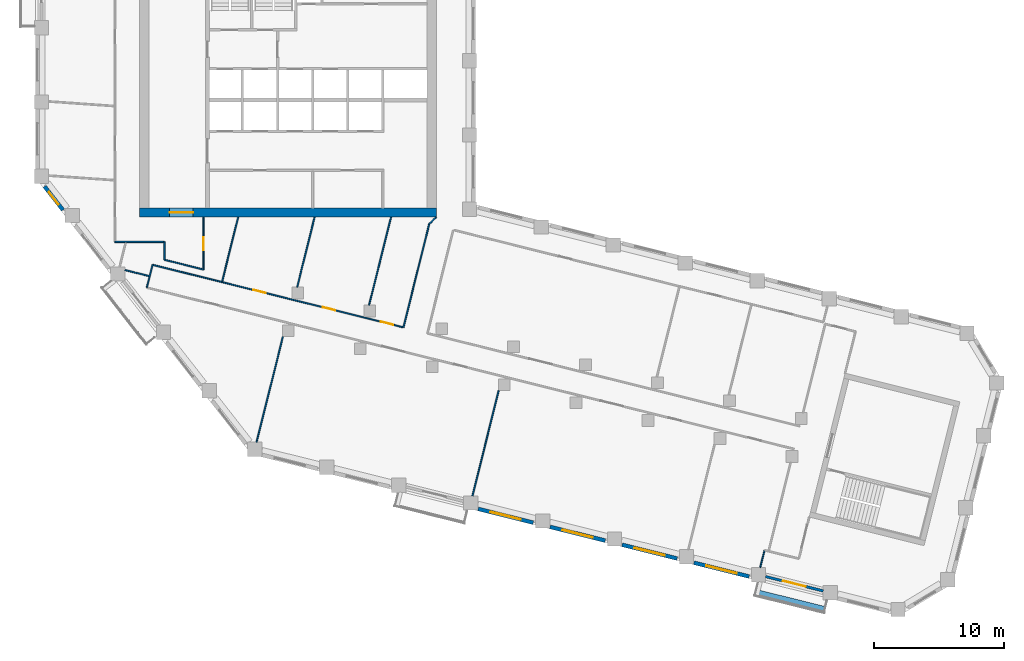
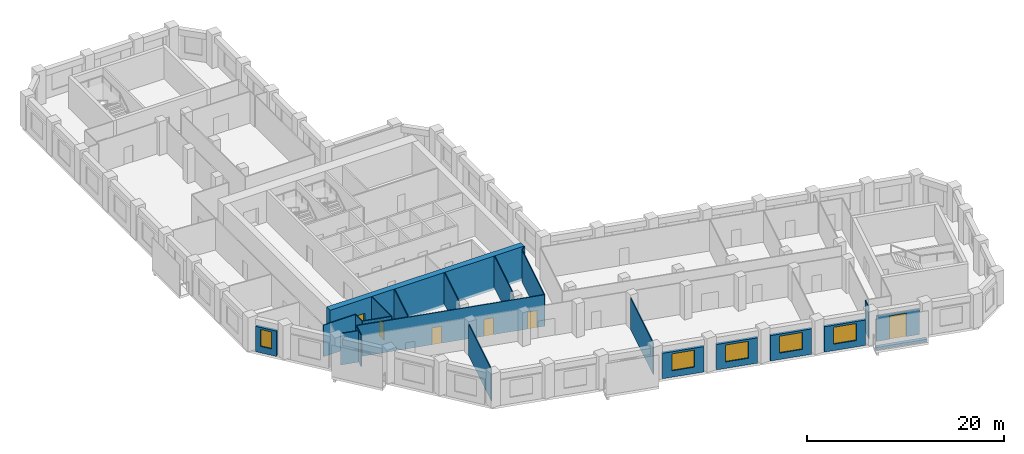
# One storey, part 3 of 10: 23 walls, 6 doors, 5 windows, 11 openings.
"""IFC4 building model written with IfcOpenShell, lengths in metres."""

from ifc_helpers import new_model, si_unit, direction, frame, frame_2d, origin, place, context, subcontext, project, spatial, rectangle, extrude, material, layer, layer_set, type_object, element, fill, save


model = new_model("IFC4")

# Units and contexts
model_context = context("Model", 3, precision=1e-05, world=origin(), true_north=direction((0.0, 1.0)))
body_context = subcontext(model_context, "Body", "Model", "MODEL_VIEW")
ifc_project = project(units=[si_unit("LENGTHUNIT", "METRE"), si_unit("AREAUNIT", "SQUARE_METRE"), si_unit("VOLUMEUNIT", "CUBIC_METRE"), si_unit("PLANEANGLEUNIT", "RADIAN"), si_unit("MASSUNIT", "GRAM", prefix="KILO")], contexts=[model_context])

# Site, building, storey
site_placement = place(None, origin())
site = spatial("IfcSite", under=ifc_project, at=site_placement, CompositionType="ELEMENT")
building_placement = place(site_placement, origin())
building = spatial("IfcBuilding", under=site, at=building_placement, Name="Meshkara Civic Tower", CompositionType="ELEMENT")
storey_placement = place(building_placement, frame((0.0, 0.0, 263.39990234375)))
storey = spatial("IfcBuildingStorey", under=building, at=storey_placement, Name="L60", CompositionType="ELEMENT", Elevation=263.39990234375)

# Wall, opening, door
ifc_material_1 = material(Name="Concrete C60", Category="concrete")
ifc_layer_1 = layer(ifc_material_1, 0.699951171875)
ifc_layer_set_1 = layer_set([ifc_layer_1], Name="Core ring wall 700 C60")
wall_type_1 = type_object("IfcWallType", Name="Core ring wall 700 C60", PredefinedType="SHEAR", material=ifc_layer_set_1)
wall_1_placement = place(storey_placement, frame((8.0, 14.449951171875, -0.2998046875), z_axis=(0.0, 0.0, 1.0), x_axis=(1.0, 0.0, 0.0)))
wall_1 = element("IfcWall", 1, at=wall_1_placement, inside=storey, type_object=wall_type_1, Name="L60-C001", PredefinedType="SHEAR", context=body_context, shape_type="SweptSolid", body=[
    extrude(rectangle(XDim=22.800048828125, YDim=0.699951171875, at=frame_2d((11.39990234375, 0.0))), origin(), (0.0, 0.0, 1.0), 4.199951171875),
])
opening_1_placement = place(wall_1_placement, frame((2.300048828125, 0.0, 0.300048828125)))
opening_1 = element("IfcOpeningElement", 2, at=opening_1_placement, cuts=wall_1, Name="Opening L60-K020", PredefinedType="OPENING", context=body_context, shape_type="SweptSolid", body=[
    extrude(rectangle(XDim=1.800048828125, YDim=2.10009765625, at=frame_2d((0.89990234375, 1.050048828125))), frame((0.0, 0.35986328125, 0.0), z_axis=(0.0, -1.0, 0.0), x_axis=(1.0, 0.0, 0.0)), (0.0, 0.0, 1.0), 0.719970703125),
])
ifc_material_2 = material(Name="Fire-rated door leaf in steel frame", Category="steel")
door_type_1 = type_object("IfcDoorType", Name="Core double door 1800 EI 60", OperationType="DOUBLE_DOOR_SINGLE_SWING", PredefinedType="DOOR", material=ifc_material_2)
door_1_placement = place(opening_1_placement, origin())
door_1 = element("IfcDoor", 3, at=door_1_placement, inside=storey, type_object=door_type_1, Name="L60-K020", OperationType="DOUBLE_DOOR_SINGLE_SWING", OverallHeight=2.10009765625, OverallWidth=1.800048828125, PredefinedType="DOOR", context=body_context, shape_type="SweptSolid", body=[
    extrude(rectangle(XDim=1.800048828125, YDim=2.10009765625, at=frame_2d((0.89990234375, 1.050048828125))), frame((0.0, 0.02490234375, 0.0), z_axis=(0.0, -1.0, 0.0), x_axis=(1.0, 0.0, 0.0)), (0.0, 0.0, 1.0), 0.050048828125),
])
fill(opening_1, door_1)

# Wall
ifc_material_3 = material(Name="Corridor wall 100")
ifc_layer_2 = layer(ifc_material_3, 0.10009765625)
ifc_layer_set_2 = layer_set([ifc_layer_2], Name="Corridor wall 100")
wall_type_2 = type_object("IfcWallType", Name="Corridor wall 100", PredefinedType="PARTITIONING", material=ifc_layer_set_2)
wall_2_placement = place(storey_placement, frame((6.10009765625, 12.199951171875, 0.0), z_axis=(0.0, 0.0, 1.0), x_axis=(1.0, 0.0, 0.0)))
element("IfcWall", 4, at=wall_2_placement, inside=storey, type_object=wall_type_2, Name="L60-W004", PredefinedType="PARTITIONING", context=body_context, shape_type="SweptSolid", body=[
    extrude(rectangle(XDim=3.7998046875, YDim=0.10009765625, at=frame_2d((1.89990234375, 0.0))), origin(), (0.0, 0.0, 1.0), 3.900146484375),
])

# Wall, openings, doors
wall_3_placement = place(storey_placement, frame((8.988037109375, 10.43994140625, 0.0), z_axis=(0.0, 0.0, 1.0), x_axis=(0.970301223092, -0.241899848006, 0.0)))
wall_3 = element("IfcWall", 5, at=wall_3_placement, inside=storey, type_object=wall_type_2, Name="L60-W007", PredefinedType="PARTITIONING", context=body_context, shape_type="SweptSolid", body=[
    extrude(rectangle(XDim=19.87939453125, YDim=0.10009765625, at=frame_2d((9.939697265625, 0.0))), origin(), (0.0, 0.0, 1.0), 3.900146484375),
])
opening_2_placement = place(wall_3_placement, frame((18.0830078125, 0.0, 0.0)))
opening_2 = element("IfcOpeningElement", 6, at=opening_2_placement, cuts=wall_3, Name="Opening L60-D005", PredefinedType="OPENING", context=body_context, shape_type="SweptSolid", body=[
    extrude(rectangle(XDim=1.0, YDim=2.10009765625, at=frame_2d((0.5, 1.050048828125))), frame((0.0, 0.06005859375, 0.0), z_axis=(0.0, -1.0, 0.0), x_axis=(1.0, 0.0, 0.0)), (0.0, 0.0, 1.0), 0.1201171875),
])
opening_3_placement = place(wall_3_placement, frame((7.98291015625, 0.0, 0.0)))
opening_3 = element("IfcOpeningElement", 7, at=opening_3_placement, cuts=wall_3, Name="Opening L60-D011", PredefinedType="OPENING", context=body_context, shape_type="SweptSolid", body=[
    extrude(rectangle(XDim=1.0, YDim=2.10009765625, at=frame_2d((0.5, 1.050048828125))), frame((0.0, 0.06005859375, 0.0), z_axis=(0.0, -1.0, 0.0), x_axis=(1.0, 0.0, 0.0)), (0.0, 0.0, 1.0), 0.1201171875),
])
opening_4_placement = place(wall_3_placement, frame((13.48291015625, 0.0, 0.0)))
opening_4 = element("IfcOpeningElement", 8, at=opening_4_placement, cuts=wall_3, Name="Opening L60-D012", PredefinedType="OPENING", context=body_context, shape_type="SweptSolid", body=[
    extrude(rectangle(XDim=1.0, YDim=2.10009765625, at=frame_2d((0.5, 1.050048828125))), frame((0.0, 0.06005859375, 0.0), z_axis=(0.0, -1.0, 0.0), x_axis=(1.0, 0.0, 0.0)), (0.0, 0.0, 1.0), 0.1201171875),
])
ifc_material_4 = material(Name="Door 1000 x 2100")
door_type_2 = type_object("IfcDoorType", Name="Door 1000 x 2100", OperationType="SINGLE_SWING_LEFT", PredefinedType="DOOR", material=ifc_material_4)
door_2_placement = place(opening_2_placement, origin())
door_2 = element("IfcDoor", 9, at=door_2_placement, inside=storey, type_object=door_type_2, Name="L60-D005", OperationType="SINGLE_SWING_RIGHT", OverallHeight=2.10009765625, OverallWidth=1.0, PredefinedType="DOOR", context=body_context, shape_type="SweptSolid", body=[
    extrude(rectangle(XDim=1.0, YDim=2.10009765625, at=frame_2d((0.5, 1.050048828125))), frame((0.0, 0.02490234375, 0.0), z_axis=(0.0, -1.0, 0.0), x_axis=(1.0, 0.0, 0.0)), (0.0, 0.0, 1.0), 0.050048828125),
])
fill(opening_2, door_2)
door_3_placement = place(opening_3_placement, origin())
door_3 = element("IfcDoor", 10, at=door_3_placement, inside=storey, type_object=door_type_2, Name="L60-D011", OperationType="SINGLE_SWING_RIGHT", OverallHeight=2.10009765625, OverallWidth=1.0, PredefinedType="DOOR", context=body_context, shape_type="SweptSolid", body=[
    extrude(rectangle(XDim=1.0, YDim=2.10009765625, at=frame_2d((0.5, 1.050048828125))), frame((0.0, 0.02490234375, 0.0), z_axis=(0.0, -1.0, 0.0), x_axis=(1.0, 0.0, 0.0)), (0.0, 0.0, 1.0), 0.050048828125),
])
fill(opening_3, door_3)
door_4_placement = place(opening_4_placement, origin())
door_4 = element("IfcDoor", 11, at=door_4_placement, inside=storey, type_object=door_type_2, Name="L60-D012", OperationType="SINGLE_SWING_LEFT", OverallHeight=2.10009765625, OverallWidth=1.0, PredefinedType="DOOR", context=body_context, shape_type="SweptSolid", body=[
    extrude(rectangle(XDim=1.0, YDim=2.10009765625, at=frame_2d((0.5, 1.050048828125))), frame((0.0, 0.02490234375, 0.0), z_axis=(0.0, -1.0, 0.0), x_axis=(1.0, 0.0, 0.0)), (0.0, 0.0, 1.0), 0.050048828125),
])
fill(opening_4, door_4)

# Walls
wall_4_placement = place(storey_placement, frame((8.988037109375, 10.43994140625, 0.0), z_axis=(0.0, 0.0, 1.0), x_axis=(-0.242154485745, -0.970237705428, 0.0)))
element("IfcWall", 12, at=wall_4_placement, inside=storey, type_object=wall_type_2, Name="L60-W008", PredefinedType="PARTITIONING", context=body_context, shape_type="SweptSolid", body=[
    extrude(rectangle(XDim=1.80859375, YDim=0.10009765625, at=frame_2d((0.904296875, 0.0))), origin(), (0.0, 0.0, 1.0), 3.900146484375),
])
wall_5_placement = place(storey_placement, frame((9.89990234375, 10.825927734375, 0.0), z_axis=(0.0, 0.0, 1.0), x_axis=(0.970290953223, -0.241941038466, 0.0)))
element("IfcWall", 13, at=wall_5_placement, inside=storey, type_object=wall_type_2, Name="L60-W009", PredefinedType="PARTITIONING", context=body_context, shape_type="SweptSolid", body=[
    extrude(rectangle(XDim=3.091796875, YDim=0.10009765625, at=frame_2d((1.5458984375, 0.0))), origin(), (0.0, 0.0, 1.0), 3.900146484375),
])
wall_6_placement = place(storey_placement, frame((9.89990234375, 12.199951171875, 0.0), z_axis=(0.0, 0.0, 1.0), x_axis=(0.0, -1.0, 0.0)))
element("IfcWall", 14, at=wall_6_placement, inside=storey, type_object=wall_type_2, Name="L60-W010", PredefinedType="PARTITIONING", context=body_context, shape_type="SweptSolid", body=[
    extrude(rectangle(XDim=1.3740234375, YDim=0.10009765625, at=frame_2d((0.68701171875, 0.0))), origin(), (0.0, 0.0, 1.0), 3.900146484375),
])

# Wall, opening, door
wall_7_placement = place(storey_placement, frame((12.89990234375, 10.077880859375, 0.0), z_axis=(0.0, 0.0, 1.0), x_axis=(0.0, 1.0, 0.0)))
wall_7 = element("IfcWall", 15, at=wall_7_placement, inside=storey, type_object=wall_type_2, Name="L60-W014", PredefinedType="PARTITIONING", context=body_context, shape_type="SweptSolid", body=[
    extrude(rectangle(XDim=4.022216796875, YDim=0.10009765625, at=frame_2d((2.01123046875, 0.0))), origin(), (0.0, 0.0, 1.0), 3.900146484375),
])
opening_5_placement = place(wall_7_placement, frame((1.47998046875, 0.0, 0.0)))
opening_5 = element("IfcOpeningElement", 16, at=opening_5_placement, cuts=wall_7, Name="Opening L60-D017", PredefinedType="OPENING", context=body_context, shape_type="SweptSolid", body=[
    extrude(rectangle(XDim=1.0, YDim=2.10009765625, at=frame_2d((0.5, 1.050048828125))), frame((0.0, 0.06005859375, 0.0), z_axis=(0.0, -1.0, 0.0), x_axis=(1.0, 0.0, 0.0)), (0.0, 0.0, 1.0), 0.1201171875),
])
door_5_placement = place(opening_5_placement, origin())
door_5 = element("IfcDoor", 17, at=door_5_placement, inside=storey, type_object=door_type_2, Name="L60-D017", OperationType="SINGLE_SWING_RIGHT", OverallHeight=2.10009765625, OverallWidth=1.0, PredefinedType="DOOR", context=body_context, shape_type="SweptSolid", body=[
    extrude(rectangle(XDim=1.0, YDim=2.10009765625, at=frame_2d((0.5, 1.050048828125))), frame((0.0, 0.02490234375, 0.0), z_axis=(0.0, -1.0, 0.0), x_axis=(1.0, 0.0, 0.0)), (0.0, 0.0, 1.0), 0.050048828125),
])
fill(opening_5, door_5)

# Walls
wall_8_placement = place(storey_placement, frame((30.259033203125, 13.5830078125, 0.0), z_axis=(0.0, 0.0, 1.0), x_axis=(-0.241841612879, -0.970315739479, 0.0)))
element("IfcWall", 18, at=wall_8_placement, inside=storey, type_object=wall_type_2, Name="L60-W023", PredefinedType="PARTITIONING", context=body_context, shape_type="SweptSolid", body=[
    extrude(rectangle(XDim=8.195068359375, YDim=0.10009765625, at=frame_2d((4.09765625, 0.0))), origin(), (0.0, 0.0, 1.0), 3.900146484375),
])
wall_9_placement = place(storey_placement, frame((30.800048828125, 14.10009765625, 0.0), z_axis=(0.0, 0.0, 1.0), x_axis=(-0.722911025189, -0.690941133281, 0.0)))
element("IfcWall", 19, at=wall_9_placement, inside=storey, type_object=wall_type_2, Name="L60-W024", PredefinedType="PARTITIONING", context=body_context, shape_type="SweptSolid", body=[
    extrude(rectangle(XDim=0.748291015625, YDim=0.10009765625, at=frame_2d((0.3740234375, 0.0))), origin(), (0.0, 0.0, 1.0), 3.900146484375),
])

# Wall, opening, window
ifc_material_5 = material(Name="Insulated infill panel with bronze anodised aluminium cladding", Category="aluminium")
ifc_layer_3 = layer(ifc_material_5, 0.300048828125)
ifc_layer_set_3 = layer_set([ifc_layer_3], Name="EXTERNAL INFILL WALL 300")
wall_type_3 = type_object("IfcWallType", Name="EXTERNAL INFILL WALL 300", PredefinedType="SOLIDWALL", material=ifc_layer_set_3)
wall_10_placement = place(storey_placement, frame((0.68896484375, 16.4619140625, 0.0), z_axis=(0.0, 0.0, 1.0), x_axis=(0.615625465473, -0.788038886262, 0.0)))
wall_10 = element("IfcWall", 20, at=wall_10_placement, inside=storey, type_object=wall_type_3, Name="External wall", PredefinedType="SOLIDWALL", context=body_context, shape_type="SweptSolid", body=[
    extrude(rectangle(XDim=2.29541015625, YDim=0.300048828125, at=frame_2d((1.147705078125, 0.0))), origin(), (0.0, 0.0, 1.0), 3.150146484375),
])
opening_6_placement = place(wall_10_placement, frame((0.548095703125, 0.0, 0.800048828125)))
opening_6 = element("IfcOpeningElement", 21, at=opening_6_placement, cuts=wall_10, Name="Opening W3", PredefinedType="OPENING", context=body_context, shape_type="SweptSolid", body=[
    extrude(rectangle(XDim=1.199951171875, YDim=2.10009765625, at=frame_2d((0.60009765625, 1.050048828125))), frame((0.0, 0.159912109375, 0.0), z_axis=(0.0, -1.0, 0.0), x_axis=(1.0, 0.0, 0.0)), (0.0, 0.0, 1.0), 0.320068359375),
])
ifc_material_6 = material(Name="Tinted double glazing", Category="glass")
window_type_1 = type_object("IfcWindowType", Name="WINDOW 1200x2100", PartitioningType="SINGLE_PANEL", PredefinedType="WINDOW", material=ifc_material_6)
window_1_placement = place(opening_6_placement, origin())
window_1 = element("IfcWindow", 22, at=window_1_placement, inside=storey, type_object=window_type_1, Name="Window", OverallHeight=2.10009765625, OverallWidth=1.199951171875, PartitioningType="SINGLE_PANEL", PredefinedType="WINDOW", context=body_context, shape_type="SweptSolid", body=[
    extrude(rectangle(XDim=1.199951171875, YDim=2.10009765625, at=frame_2d((0.60009765625, 1.050048828125))), frame((0.0, 0.030029296875, 0.0), z_axis=(0.0, -1.0, 0.0), x_axis=(1.0, 0.0, 0.0)), (0.0, 0.0, 1.0), 0.06005859375),
])
fill(opening_6, window_1)

wall_11_placement = place(storey_placement, frame((34.01708984375, -8.326904296875, 0.0), z_axis=(0.0, 0.0, 1.0), x_axis=(0.970306725873, -0.241877774353, 0.0)))
wall_11 = element("IfcWall", 23, at=wall_11_placement, inside=storey, type_object=wall_type_3, Name="External wall", PredefinedType="SOLIDWALL", context=body_context, shape_type="SweptSolid", body=[
    extrude(rectangle(XDim=4.366455078125, YDim=0.300048828125, at=frame_2d((2.18310546875, 0.0))), origin(), (0.0, 0.0, 1.0), 3.150146484375),
])
opening_7_placement = place(wall_11_placement, frame((0.98291015625, 0.0, 0.800048828125)))
opening_7 = element("IfcOpeningElement", 24, at=opening_7_placement, cuts=wall_11, Name="Opening W7", PredefinedType="OPENING", context=body_context, shape_type="SweptSolid", body=[
    extrude(rectangle(XDim=2.39990234375, YDim=2.10009765625, at=frame_2d((1.199951171875, 1.050048828125))), frame((0.0, 0.159912109375, 0.0), z_axis=(0.0, -1.0, 0.0), x_axis=(1.0, 0.0, 0.0)), (0.0, 0.0, 1.0), 0.320068359375),
])
ifc_material_7 = material(Name="Tinted double glazing", Category="glass")
window_type_2 = type_object("IfcWindowType", Name="WINDOW 2400x2100", PartitioningType="DOUBLE_PANEL_VERTICAL", PredefinedType="WINDOW", material=ifc_material_7)
window_2_placement = place(opening_7_placement, origin())
window_2 = element("IfcWindow", 25, at=window_2_placement, inside=storey, type_object=window_type_2, Name="Window", OverallHeight=2.10009765625, OverallWidth=2.39990234375, PartitioningType="DOUBLE_PANEL_VERTICAL", PredefinedType="WINDOW", context=body_context, shape_type="SweptSolid", body=[
    extrude(rectangle(XDim=2.39990234375, YDim=2.10009765625, at=frame_2d((1.199951171875, 1.050048828125))), frame((0.0, 0.030029296875, 0.0), z_axis=(0.0, -1.0, 0.0), x_axis=(1.0, 0.0, 0.0)), (0.0, 0.0, 1.0), 0.06005859375),
])
fill(opening_7, window_2)

wall_12_placement = place(storey_placement, frame((39.548095703125, -9.7060546875, 0.0), z_axis=(0.0, 0.0, 1.0), x_axis=(0.970319847058, -0.241825131873, 0.0)))
wall_12 = element("IfcWall", 26, at=wall_12_placement, inside=storey, type_object=wall_type_3, Name="External wall", PredefinedType="SOLIDWALL", context=body_context, shape_type="SweptSolid", body=[
    extrude(rectangle(XDim=4.366455078125, YDim=0.300048828125, at=frame_2d((2.18310546875, 0.0))), origin(), (0.0, 0.0, 1.0), 3.150146484375),
])
opening_8_placement = place(wall_12_placement, frame((0.98291015625, 0.0, 0.800048828125)))
opening_8 = element("IfcOpeningElement", 27, at=opening_8_placement, cuts=wall_12, Name="Opening W7", PredefinedType="OPENING", context=body_context, shape_type="SweptSolid", body=[
    extrude(rectangle(XDim=2.39990234375, YDim=2.10009765625, at=frame_2d((1.199951171875, 1.050048828125))), frame((0.0, 0.159912109375, 0.0), z_axis=(0.0, -1.0, 0.0), x_axis=(1.0, 0.0, 0.0)), (0.0, 0.0, 1.0), 0.320068359375),
])
window_3_placement = place(opening_8_placement, origin())
window_3 = element("IfcWindow", 28, at=window_3_placement, inside=storey, type_object=window_type_2, Name="Window", OverallHeight=2.10009765625, OverallWidth=2.39990234375, PartitioningType="DOUBLE_PANEL_VERTICAL", PredefinedType="WINDOW", context=body_context, shape_type="SweptSolid", body=[
    extrude(rectangle(XDim=2.39990234375, YDim=2.10009765625, at=frame_2d((1.199951171875, 1.050048828125))), frame((0.0, 0.030029296875, 0.0), z_axis=(0.0, -1.0, 0.0), x_axis=(1.0, 0.0, 0.0)), (0.0, 0.0, 1.0), 0.06005859375),
])
fill(opening_8, window_3)

wall_13_placement = place(storey_placement, frame((45.0791015625, -11.0849609375, 0.0), z_axis=(0.0, 0.0, 1.0), x_axis=(0.970293636985, -0.241930275135, 0.0)))
wall_13 = element("IfcWall", 29, at=wall_13_placement, inside=storey, type_object=wall_type_3, Name="External wall", PredefinedType="SOLIDWALL", context=body_context, shape_type="SweptSolid", body=[
    extrude(rectangle(XDim=4.365478515625, YDim=0.300048828125, at=frame_2d((2.1826171875, 0.0))), origin(), (0.0, 0.0, 1.0), 3.150146484375),
])
opening_9_placement = place(wall_13_placement, frame((0.98291015625, 0.0, 0.800048828125)))
opening_9 = element("IfcOpeningElement", 30, at=opening_9_placement, cuts=wall_13, Name="Opening W7", PredefinedType="OPENING", context=body_context, shape_type="SweptSolid", body=[
    extrude(rectangle(XDim=2.39990234375, YDim=2.10009765625, at=frame_2d((1.199951171875, 1.050048828125))), frame((0.0, 0.159912109375, 0.0), z_axis=(0.0, -1.0, 0.0), x_axis=(1.0, 0.0, 0.0)), (0.0, 0.0, 1.0), 0.320068359375),
])
window_4_placement = place(opening_9_placement, origin())
window_4 = element("IfcWindow", 31, at=window_4_placement, inside=storey, type_object=window_type_2, Name="Window", OverallHeight=2.10009765625, OverallWidth=2.39990234375, PartitioningType="DOUBLE_PANEL_VERTICAL", PredefinedType="WINDOW", context=body_context, shape_type="SweptSolid", body=[
    extrude(rectangle(XDim=2.39990234375, YDim=2.10009765625, at=frame_2d((1.199951171875, 1.050048828125))), frame((0.0, 0.030029296875, 0.0), z_axis=(0.0, -1.0, 0.0), x_axis=(1.0, 0.0, 0.0)), (0.0, 0.0, 1.0), 0.06005859375),
])
fill(opening_9, window_4)

wall_14_placement = place(storey_placement, frame((50.60888671875, -12.462890625, 0.0), z_axis=(0.0, 0.0, 1.0), x_axis=(0.970257492536, -0.242075191166, 0.0)))
wall_14 = element("IfcWall", 32, at=wall_14_placement, inside=storey, type_object=wall_type_3, Name="External wall", PredefinedType="SOLIDWALL", context=body_context, shape_type="SweptSolid", body=[
    extrude(rectangle(XDim=4.366943359375, YDim=0.300048828125, at=frame_2d((2.18359375, 0.0))), origin(), (0.0, 0.0, 1.0), 3.150146484375),
])
opening_10_placement = place(wall_14_placement, frame((0.98291015625, 0.0, 0.800048828125)))
opening_10 = element("IfcOpeningElement", 33, at=opening_10_placement, cuts=wall_14, Name="Opening W7", PredefinedType="OPENING", context=body_context, shape_type="SweptSolid", body=[
    extrude(rectangle(XDim=2.39990234375, YDim=2.10009765625, at=frame_2d((1.199951171875, 1.050048828125))), frame((0.0, 0.159912109375, 0.0), z_axis=(0.0, -1.0, 0.0), x_axis=(1.0, 0.0, 0.0)), (0.0, 0.0, 1.0), 0.320068359375),
])
window_5_placement = place(opening_10_placement, origin())
window_5 = element("IfcWindow", 34, at=window_5_placement, inside=storey, type_object=window_type_2, Name="Window", OverallHeight=2.10009765625, OverallWidth=2.39990234375, PartitioningType="DOUBLE_PANEL_VERTICAL", PredefinedType="WINDOW", context=body_context, shape_type="SweptSolid", body=[
    extrude(rectangle(XDim=2.39990234375, YDim=2.10009765625, at=frame_2d((1.199951171875, 1.050048828125))), frame((0.0, 0.030029296875, 0.0), z_axis=(0.0, -1.0, 0.0), x_axis=(1.0, 0.0, 0.0)), (0.0, 0.0, 1.0), 0.06005859375),
])
fill(opening_10, window_5)

# Wall, opening, door
ifc_material_8 = material(Name="Insulated infill panel with bronze anodised aluminium cladding", Category="aluminium")
ifc_layer_4 = layer(ifc_material_8, 0.199951171875)
ifc_layer_set_4 = layer_set([ifc_layer_4], Name="LOGGIA BACK WALL 200")
wall_type_4 = type_object("IfcWallType", Name="LOGGIA BACK WALL 200", PredefinedType="SOLIDWALL", material=ifc_layer_set_4)
wall_15_placement = place(storey_placement, frame((56.115966796875, -13.527099609375, 0.0), z_axis=(0.0, 0.0, 1.0), x_axis=(0.970286982272, -0.241956963183, 0.0)))
wall_15 = element("IfcWall", 35, at=wall_15_placement, inside=storey, type_object=wall_type_4, Name="Loggia wall", PredefinedType="SOLIDWALL", context=body_context, shape_type="SweptSolid", body=[
    extrude(rectangle(XDim=4.56689453125, YDim=0.199951171875, at=frame_2d((2.283447265625, 0.0))), origin(), (0.0, 0.0, 1.0), 3.150146484375),
])
opening_11_placement = place(wall_15_placement, frame((1.383056640625, 0.0, 0.0)))
opening_11 = element("IfcOpeningElement", 36, at=opening_11_placement, cuts=wall_15, Name="Opening L60-L004", PredefinedType="OPENING", context=body_context, shape_type="SweptSolid", body=[
    extrude(rectangle(XDim=1.800048828125, YDim=2.89990234375, at=frame_2d((0.89990234375, 1.449951171875))), frame((0.0, 0.10986328125, 0.0), z_axis=(0.0, -1.0, 0.0), x_axis=(1.0, 0.0, 0.0)), (0.0, 0.0, 1.0), 0.219970703125),
])
ifc_material_9 = material(Name="Tinted double glazing", Category="glass")
door_type_3 = type_object("IfcDoorType", Name="LOGGIA DOOR 1800x2900", OperationType="DOUBLE_DOOR_SINGLE_SWING", PredefinedType="DOOR", material=ifc_material_9)
door_6_placement = place(opening_11_placement, origin())
door_6 = element("IfcDoor", 37, at=door_6_placement, inside=storey, type_object=door_type_3, Name="L60-L004", OperationType="DOUBLE_DOOR_SINGLE_SWING", OverallHeight=2.89990234375, OverallWidth=1.800048828125, PredefinedType="DOOR", context=body_context, shape_type="SweptSolid", body=[
    extrude(rectangle(XDim=1.800048828125, YDim=2.89990234375, at=frame_2d((0.89990234375, 1.449951171875))), frame((0.0, 0.02490234375, 0.0), z_axis=(0.0, -1.0, 0.0), x_axis=(1.0, 0.0, 0.0)), (0.0, 0.0, 1.0), 0.050048828125),
])
fill(opening_11, door_6)

# Walls
ifc_material_10 = material(Name="Concrete C40", Category="concrete")
ifc_layer_5 = layer(ifc_material_10, 0.39990234375)
ifc_layer_set_5 = layer_set([ifc_layer_5], Name="PLANTER TRAY")
wall_type_5 = type_object("IfcWallType", Name="PLANTER TRAY", PredefinedType="SOLIDWALL", material=ifc_layer_set_5)
wall_16_placement = place(storey_placement, frame((55.408935546875, -14.721923828125, 0.0), z_axis=(0.0, 0.0, 1.0), x_axis=(0.970324412772, -0.241806811275, 0.0)))
element("IfcWall", 38, at=wall_16_placement, inside=storey, type_object=wall_type_5, Name="Planter", PredefinedType="SOLIDWALL", context=body_context, shape_type="SweptSolid", body=[
    extrude(rectangle(XDim=5.3603515625, YDim=0.39990234375, at=frame_2d((2.68017578125, 0.0))), origin(), (0.0, 0.0, 1.0), 0.300048828125),
])
ifc_material_11 = material(Name="Partition 100")
ifc_layer_6 = layer(ifc_material_11, 0.10009765625)
ifc_layer_set_6 = layer_set([ifc_layer_6], Name="Partition 100")
wall_type_6 = type_object("IfcWallType", Name="Partition 100", PredefinedType="PARTITIONING", material=ifc_layer_set_6)
wall_17_placement = place(storey_placement, frame((8.719970703125, 9.573974609375, 0.0), z_axis=(0.0, 0.0, 1.0), x_axis=(-0.970240497311, 0.242143299263, 0.0)))
element("IfcWall", 39, at=wall_17_placement, inside=storey, type_object=wall_type_6, Name="L60-W040", PredefinedType="PARTITIONING", context=body_context, shape_type="SweptSolid", body=[
    extrude(rectangle(XDim=1.903564453125, YDim=0.10009765625, at=frame_2d((0.95166015625, 0.0))), origin(), (0.0, 0.0, 1.0), 3.900146484375),
])
wall_18_placement = place(storey_placement, frame((14.340087890625, 9.157958984375, 0.0), z_axis=(0.0, 0.0, 1.0), x_axis=(0.241870144538, 0.970308627799, 0.0)))
element("IfcWall", 40, at=wall_18_placement, inside=storey, type_object=wall_type_6, Name="L60-W041", PredefinedType="PARTITIONING", context=body_context, shape_type="SweptSolid", body=[
    extrude(rectangle(XDim=5.09326171875, YDim=0.10009765625, at=frame_2d((2.546630859375, 0.0))), origin(), (0.0, 0.0, 1.0), 3.900146484375),
])
wall_19_placement = place(storey_placement, frame((16.988037109375, -3.18798828125, 0.0), z_axis=(0.0, 0.0, 1.0), x_axis=(0.241922982745, 0.97029545522, 0.0)))
element("IfcWall", 41, at=wall_19_placement, inside=storey, type_object=wall_type_6, Name="L60-W042", PredefinedType="PARTITIONING", context=body_context, shape_type="SweptSolid", body=[
    extrude(rectangle(XDim=8.345703125, YDim=0.10009765625, at=frame_2d((4.1728515625, 0.0))), origin(), (0.0, 0.0, 1.0), 3.900146484375),
])
wall_20_placement = place(storey_placement, frame((20.10595703125, 8.720947265625, 0.0), z_axis=(0.0, 0.0, 1.0), x_axis=(0.24190349153, 0.970300314741, 0.0)))
element("IfcWall", 42, at=wall_20_placement, inside=storey, type_object=wall_type_6, Name="L60-W043", PredefinedType="PARTITIONING", context=body_context, shape_type="SweptSolid", body=[
    extrude(rectangle(XDim=5.543701171875, YDim=0.10009765625, at=frame_2d((2.77197265625, 0.0))), origin(), (0.0, 0.0, 1.0), 3.900146484375),
])
wall_21_placement = place(storey_placement, frame((25.635986328125, 7.342041015625, 0.0), z_axis=(0.0, 0.0, 1.0), x_axis=(0.241933497251, 0.970292833586, 0.0)))
element("IfcWall", 43, at=wall_21_placement, inside=storey, type_object=wall_type_6, Name="L60-W045", PredefinedType="PARTITIONING", context=body_context, shape_type="SweptSolid", body=[
    extrude(rectangle(XDim=6.965087890625, YDim=0.10009765625, at=frame_2d((3.482421875, 0.0))), origin(), (0.0, 0.0, 1.0), 3.900146484375),
])
wall_22_placement = place(storey_placement, frame((33.580078125, -7.324951171875, 0.0), z_axis=(0.0, 0.0, 1.0), x_axis=(0.241922982745, 0.97029545522, 0.0)))
element("IfcWall", 44, at=wall_22_placement, inside=storey, type_object=wall_type_6, Name="L60-W046", PredefinedType="PARTITIONING", context=body_context, shape_type="SweptSolid", body=[
    extrude(rectangle(XDim=8.345703125, YDim=0.10009765625, at=frame_2d((4.1728515625, 0.0))), origin(), (0.0, 0.0, 1.0), 3.900146484375),
])
wall_23_placement = place(storey_placement, frame((55.702880859375, -12.840087890625, 0.0), z_axis=(0.0, 0.0, 1.0), x_axis=(0.242327978011, 0.970194388292, 0.0)))
element("IfcWall", 45, at=wall_23_placement, inside=storey, type_object=wall_type_6, Name="L60-W050", PredefinedType="PARTITIONING", context=body_context, shape_type="SweptSolid", body=[
    extrude(rectangle(XDim=1.38330078125, YDim=0.10009765625, at=frame_2d((0.691650390625, 0.0))), origin(), (0.0, 0.0, 1.0), 3.900146484375),
])

save(model, "model.ifc")
